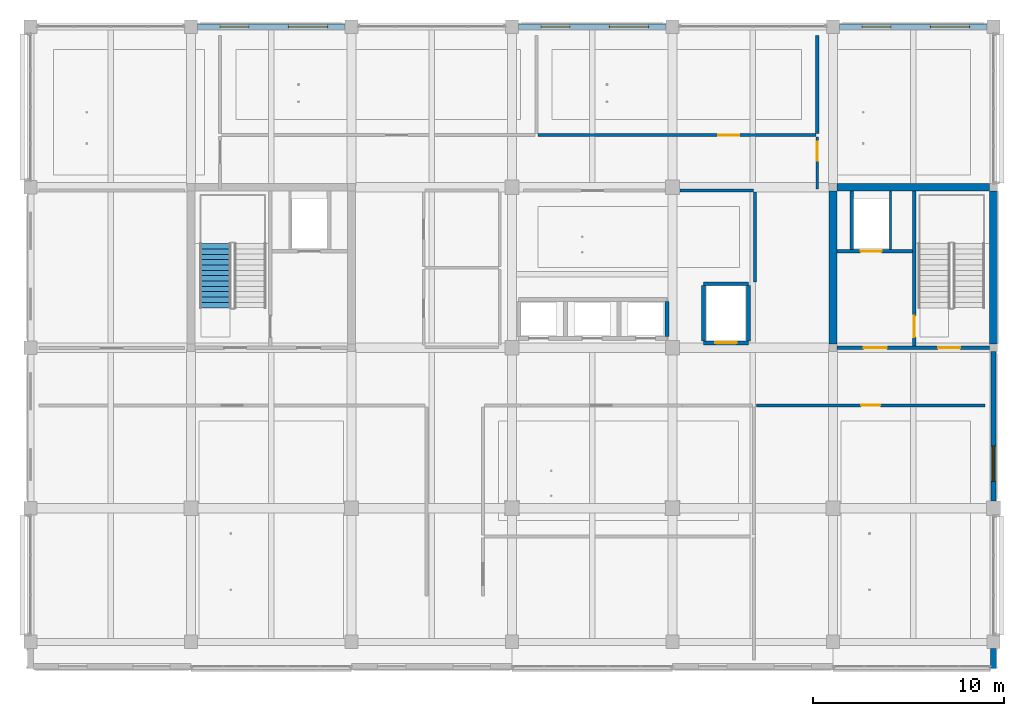
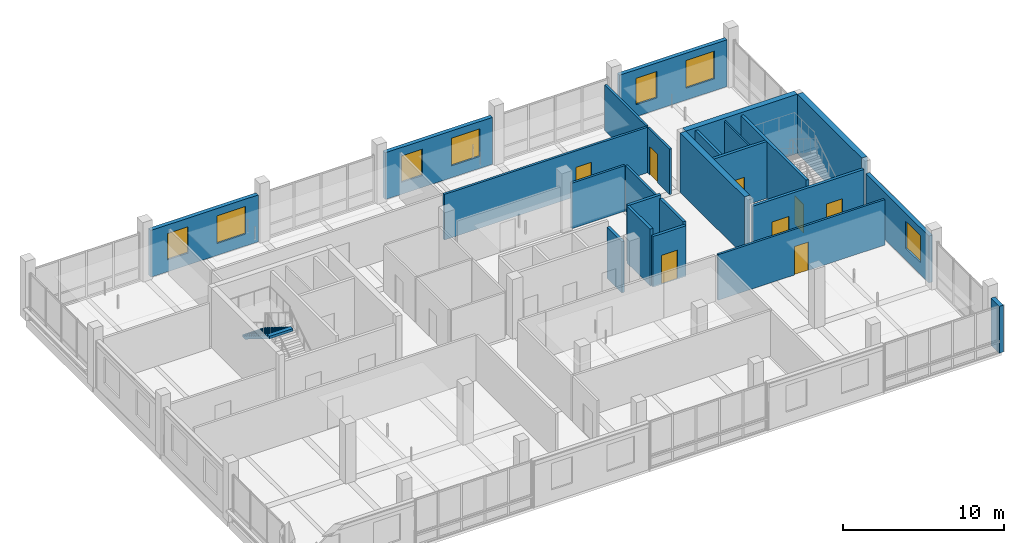
# One storey, part 13 of 35: 24 walls, 8 doors, 7 windows, 1 stair flight, 15 openings, 1 element without a shape of its own.
"""IFC4 building model written with IfcOpenShell, lengths in metres."""

from ifc_helpers import new_model, si_unit, direction, frame, frame_2d, origin, place, context, subcontext, project, spatial, polyline, rectangle, outline, extrude, material, layer, layer_set, type_object, element, fill, aggregate, save


model = new_model("IFC4")

# Units and contexts
model_context = context("Model", 3, precision=1e-05, world=origin(), true_north=direction((0.0, 1.0)))
body_context = subcontext(model_context, "Body", "Model", "MODEL_VIEW")
ifc_project = project(units=[si_unit("LENGTHUNIT", "METRE"), si_unit("AREAUNIT", "SQUARE_METRE"), si_unit("VOLUMEUNIT", "CUBIC_METRE"), si_unit("PLANEANGLEUNIT", "RADIAN"), si_unit("MASSUNIT", "GRAM", prefix="KILO")], contexts=[model_context])

# Site, building, storey
site_placement = place(None, origin())
site = spatial("IfcSite", under=ifc_project, at=site_placement, CompositionType="ELEMENT")
building_placement = place(site_placement, origin())
building = spatial("IfcBuilding", under=site, at=building_placement, Name="Telukmera Botanical Conservatory", CompositionType="ELEMENT")
storey_placement = place(building_placement, frame((0.0, 0.0, 46.5)))
storey = spatial("IfcBuildingStorey", under=building, at=storey_placement, Name="L10", CompositionType="ELEMENT", Elevation=46.5)

# Wall, openings, windows
ifc_material_1 = material(Name="Precast concrete C40/50", Category="concrete")
ifc_layer_1 = layer(ifc_material_1, 0.280029296875)
ifc_layer_set_1 = layer_set([ifc_layer_1], Name="Precast concrete C40/50")
wall_type_1 = type_object("IfcWallType", Name="Exterior Laboratory Modular Precast Wall 280", PredefinedType="ELEMENTEDWALL", material=ifc_layer_set_1)
wall_1_placement = place(storey_placement, frame((59.152099609375, 42.800048828125, 0.0), z_axis=(0.0, 0.0, 1.0), x_axis=(1.0, 0.0, 0.0)))
wall_1 = element("IfcWall", 1, at=wall_1_placement, inside=storey, type_object=wall_type_1, Name="Exterior Precast Wall EW06 V4:L10:N2", PredefinedType="ELEMENTEDWALL", context=body_context, shape_type="SweptSolid", body=[
    extrude(rectangle(XDim=7.69580078125, YDim=0.280029296875, at=frame_2d((3.847900390625, 0.0))), origin(), (0.0, 0.0, 1.0), 3.550048828125),
])
opening_1_placement = place(wall_1_placement, frame((1.174072265625, 0.0, 0.89990234375)))
opening_1 = element("IfcOpeningElement", 2, at=opening_1_placement, cuts=wall_1, Name="Opening W06", PredefinedType="OPENING", context=body_context, shape_type="SweptSolid", body=[
    extrude(rectangle(XDim=1.5, YDim=2.0, at=frame_2d((0.75, 1.0))), frame((0.0, 0.14990234375, 0.0), z_axis=(0.0, -1.0, 0.0), x_axis=(1.0, 0.0, 0.0)), (0.0, 0.0, 1.0), 0.300048828125),
])
opening_2_placement = place(wall_1_placement, frame((4.7470703125, 0.0, 0.89990234375)))
opening_2 = element("IfcOpeningElement", 3, at=opening_2_placement, cuts=wall_1, Name="Opening W14", PredefinedType="OPENING", context=body_context, shape_type="SweptSolid", body=[
    extrude(rectangle(XDim=2.050048828125, YDim=2.10009765625, at=frame_2d((1.02490234375, 1.050048828125))), frame((0.0, 0.14990234375, 0.0), z_axis=(0.0, -1.0, 0.0), x_axis=(1.0, 0.0, 0.0)), (0.0, 0.0, 1.0), 0.300048828125),
])
ifc_material_2 = material(Name="Thermally broken anodised aluminium frame with low-E double glazing", Category="aluminium")
window_type_1 = type_object("IfcWindowType", Name="Double Vertical Laboratory Viewing Window 1500x2000", PartitioningType="DOUBLE_PANEL_VERTICAL", PredefinedType="WINDOW", material=ifc_material_2)
window_1_placement = place(opening_1_placement, origin())
window_1 = element("IfcWindow", 4, at=window_1_placement, inside=storey, type_object=window_type_1, Name="Facade Window W06 V4:L10:N2 1", OverallHeight=2.0, OverallWidth=1.5, PartitioningType="DOUBLE_PANEL_VERTICAL", PredefinedType="WINDOW", context=body_context, shape_type="SweptSolid", body=[
    extrude(rectangle(XDim=1.5, YDim=2.0, at=frame_2d((0.75, 1.0))), frame((0.0, 0.030029296875, 0.0), z_axis=(0.0, -1.0, 0.0), x_axis=(1.0, 0.0, 0.0)), (0.0, 0.0, 1.0), 0.06005859375),
])
fill(opening_1, window_1)
window_type_2 = type_object("IfcWindowType", Name="Triple Vertical Microscopy Lab Window 2050x2100", PartitioningType="TRIPLE_PANEL_VERTICAL", PredefinedType="WINDOW", material=ifc_material_2)
window_2_placement = place(opening_2_placement, origin())
window_2 = element("IfcWindow", 5, at=window_2_placement, inside=storey, type_object=window_type_2, Name="Facade Window W14 V4:L10:N2 2", OverallHeight=2.10009765625, OverallWidth=2.050048828125, PartitioningType="TRIPLE_PANEL_VERTICAL", PredefinedType="WINDOW", context=body_context, shape_type="SweptSolid", body=[
    extrude(rectangle(XDim=2.050048828125, YDim=2.10009765625, at=frame_2d((1.02490234375, 1.050048828125))), frame((0.0, 0.030029296875, 0.0), z_axis=(0.0, -1.0, 0.0), x_axis=(1.0, 0.0, 0.0)), (0.0, 0.0, 1.0), 0.06005859375),
])
fill(opening_2, window_2)

wall_2_placement = place(storey_placement, frame((75.951904296875, 42.800048828125, 0.0), z_axis=(0.0, 0.0, 1.0), x_axis=(1.0, 0.0, 0.0)))
wall_2 = element("IfcWall", 6, at=wall_2_placement, inside=storey, type_object=wall_type_1, Name="Exterior Precast Wall EW06 V4:L10:N4", PredefinedType="ELEMENTEDWALL", context=body_context, shape_type="SweptSolid", body=[
    extrude(rectangle(XDim=7.696044921875, YDim=0.280029296875, at=frame_2d((3.84814453125, 0.0))), origin(), (0.0, 0.0, 1.0), 3.550048828125),
])
opening_3_placement = place(wall_2_placement, frame((1.174072265625, 0.0, 0.89990234375)))
opening_3 = element("IfcOpeningElement", 7, at=opening_3_placement, cuts=wall_2, Name="Opening W06", PredefinedType="OPENING", context=body_context, shape_type="SweptSolid", body=[
    extrude(rectangle(XDim=1.5, YDim=2.0, at=frame_2d((0.75, 1.0))), frame((0.0, 0.14990234375, 0.0), z_axis=(0.0, -1.0, 0.0), x_axis=(1.0, 0.0, 0.0)), (0.0, 0.0, 1.0), 0.300048828125),
])
opening_4_placement = place(wall_2_placement, frame((4.7470703125, 0.0, 0.89990234375)))
opening_4 = element("IfcOpeningElement", 8, at=opening_4_placement, cuts=wall_2, Name="Opening W14", PredefinedType="OPENING", context=body_context, shape_type="SweptSolid", body=[
    extrude(rectangle(XDim=2.050048828125, YDim=2.10009765625, at=frame_2d((1.02490234375, 1.050048828125))), frame((0.0, 0.14990234375, 0.0), z_axis=(0.0, -1.0, 0.0), x_axis=(1.0, 0.0, 0.0)), (0.0, 0.0, 1.0), 0.300048828125),
])
window_3_placement = place(opening_3_placement, origin())
window_3 = element("IfcWindow", 9, at=window_3_placement, inside=storey, type_object=window_type_1, Name="Facade Window W06 V4:L10:N4 1", OverallHeight=2.0, OverallWidth=1.5, PartitioningType="DOUBLE_PANEL_VERTICAL", PredefinedType="WINDOW", context=body_context, shape_type="SweptSolid", body=[
    extrude(rectangle(XDim=1.5, YDim=2.0, at=frame_2d((0.75, 1.0))), frame((0.0, 0.030029296875, 0.0), z_axis=(0.0, -1.0, 0.0), x_axis=(1.0, 0.0, 0.0)), (0.0, 0.0, 1.0), 0.06005859375),
])
fill(opening_3, window_3)
window_4_placement = place(opening_4_placement, origin())
window_4 = element("IfcWindow", 10, at=window_4_placement, inside=storey, type_object=window_type_2, Name="Facade Window W14 V4:L10:N4 2", OverallHeight=2.10009765625, OverallWidth=2.050048828125, PartitioningType="TRIPLE_PANEL_VERTICAL", PredefinedType="WINDOW", context=body_context, shape_type="SweptSolid", body=[
    extrude(rectangle(XDim=2.050048828125, YDim=2.10009765625, at=frame_2d((1.02490234375, 1.050048828125))), frame((0.0, 0.030029296875, 0.0), z_axis=(0.0, -1.0, 0.0), x_axis=(1.0, 0.0, 0.0)), (0.0, 0.0, 1.0), 0.06005859375),
])
fill(opening_4, window_4)

wall_3_placement = place(storey_placement, frame((92.751953125, 42.800048828125, 0.0), z_axis=(0.0, 0.0, 1.0), x_axis=(1.0, 0.0, 0.0)))
wall_3 = element("IfcWall", 11, at=wall_3_placement, inside=storey, type_object=wall_type_1, Name="Exterior Precast Wall EW06 V4:L10:N6", PredefinedType="ELEMENTEDWALL", context=body_context, shape_type="SweptSolid", body=[
    extrude(rectangle(XDim=7.696044921875, YDim=0.280029296875, at=frame_2d((3.84814453125, 0.0))), origin(), (0.0, 0.0, 1.0), 3.550048828125),
])
opening_5_placement = place(wall_3_placement, frame((1.174072265625, 0.0, 0.89990234375)))
opening_5 = element("IfcOpeningElement", 12, at=opening_5_placement, cuts=wall_3, Name="Opening W06", PredefinedType="OPENING", context=body_context, shape_type="SweptSolid", body=[
    extrude(rectangle(XDim=1.5, YDim=2.0, at=frame_2d((0.75, 1.0))), frame((0.0, 0.14990234375, 0.0), z_axis=(0.0, -1.0, 0.0), x_axis=(1.0, 0.0, 0.0)), (0.0, 0.0, 1.0), 0.300048828125),
])
opening_6_placement = place(wall_3_placement, frame((4.7470703125, 0.0, 0.89990234375)))
opening_6 = element("IfcOpeningElement", 13, at=opening_6_placement, cuts=wall_3, Name="Opening W14", PredefinedType="OPENING", context=body_context, shape_type="SweptSolid", body=[
    extrude(rectangle(XDim=2.050048828125, YDim=2.10009765625, at=frame_2d((1.02490234375, 1.050048828125))), frame((0.0, 0.14990234375, 0.0), z_axis=(0.0, -1.0, 0.0), x_axis=(1.0, 0.0, 0.0)), (0.0, 0.0, 1.0), 0.300048828125),
])
window_5_placement = place(opening_5_placement, origin())
window_5 = element("IfcWindow", 14, at=window_5_placement, inside=storey, type_object=window_type_1, Name="Facade Window W06 V4:L10:N6 1", OverallHeight=2.0, OverallWidth=1.5, PartitioningType="DOUBLE_PANEL_VERTICAL", PredefinedType="WINDOW", context=body_context, shape_type="SweptSolid", body=[
    extrude(rectangle(XDim=1.5, YDim=2.0, at=frame_2d((0.75, 1.0))), frame((0.0, 0.030029296875, 0.0), z_axis=(0.0, -1.0, 0.0), x_axis=(1.0, 0.0, 0.0)), (0.0, 0.0, 1.0), 0.06005859375),
])
fill(opening_5, window_5)
window_6_placement = place(opening_6_placement, origin())
window_6 = element("IfcWindow", 15, at=window_6_placement, inside=storey, type_object=window_type_2, Name="Facade Window W14 V4:L10:N6 2", OverallHeight=2.10009765625, OverallWidth=2.050048828125, PartitioningType="TRIPLE_PANEL_VERTICAL", PredefinedType="WINDOW", context=body_context, shape_type="SweptSolid", body=[
    extrude(rectangle(XDim=2.050048828125, YDim=2.10009765625, at=frame_2d((1.02490234375, 1.050048828125))), frame((0.0, 0.030029296875, 0.0), z_axis=(0.0, -1.0, 0.0), x_axis=(1.0, 0.0, 0.0)), (0.0, 0.0, 1.0), 0.06005859375),
])
fill(opening_6, window_6)

# Wall, opening, window
wall_4_placement = place(storey_placement, frame((100.800048828125, 17.97705078125, 0.0), z_axis=(0.0, 0.0, 1.0), x_axis=(0.0, 1.0, 0.0)))
wall_4 = element("IfcWall", 16, at=wall_4_placement, inside=storey, type_object=wall_type_1, Name="Exterior Precast Wall EW06 V4:L10:E2", PredefinedType="ELEMENTEDWALL", context=body_context, shape_type="SweptSolid", body=[
    extrude(rectangle(XDim=7.821044921875, YDim=0.280029296875, at=frame_2d((3.91064453125, 0.0))), origin(), (0.0, 0.0, 1.0), 3.550048828125),
])
opening_7_placement = place(wall_4_placement, frame((1.0302734375, 0.0, 0.89990234375)))
opening_7 = element("IfcOpeningElement", 17, at=opening_7_placement, cuts=wall_4, Name="Opening W12", PredefinedType="OPENING", context=body_context, shape_type="SweptSolid", body=[
    extrude(rectangle(XDim=1.85009765625, YDim=2.050048828125, at=frame_2d((0.925048828125, 1.02490234375))), frame((0.0, 0.14990234375, 0.0), z_axis=(0.0, -1.0, 0.0), x_axis=(1.0, 0.0, 0.0)), (0.0, 0.0, 1.0), 0.300048828125),
])
window_type_3 = type_object("IfcWindowType", Name="Double Horizontal Seminar Suite Window 1850x2050", PartitioningType="DOUBLE_PANEL_HORIZONTAL", PredefinedType="WINDOW", material=ifc_material_2)
window_7_placement = place(opening_7_placement, origin())
window_7 = element("IfcWindow", 18, at=window_7_placement, inside=storey, type_object=window_type_3, Name="Facade Window W12 V4:L10:E2 1", OverallHeight=2.050048828125, OverallWidth=1.85009765625, PartitioningType="DOUBLE_PANEL_HORIZONTAL", PredefinedType="WINDOW", context=body_context, shape_type="SweptSolid", body=[
    extrude(rectangle(XDim=1.85009765625, YDim=2.050048828125, at=frame_2d((0.925048828125, 1.02490234375))), frame((0.0, 0.030029296875, 0.0), z_axis=(0.0, -1.0, 0.0), x_axis=(1.0, 0.0, 0.0)), (0.0, 0.0, 1.0), 0.06005859375),
])
fill(opening_7, window_7)

# Wall
ifc_material_3 = material(Name="Terracotta-faced precast concrete C40/50", Category="masonry")
ifc_layer_2 = layer(ifc_material_3, 0.300048828125)
ifc_layer_set_2 = layer_set([ifc_layer_2], Name="Terracotta-faced precast concrete C40/50")
wall_type_2 = type_object("IfcWallType", Name="Exterior Polychrome Terracotta Precast Wall 300", PredefinedType="SOLIDWALL", material=ifc_layer_set_2)
wall_5_placement = place(storey_placement, frame((100.800048828125, 9.199951171875, 0.0), z_axis=(0.0, 0.0, 1.0), x_axis=(0.0, 1.0, 0.0)))
element("IfcWall", 19, at=wall_5_placement, inside=storey, type_object=wall_type_2, Name="Exterior Precast Wall EW02 V4:L10:SEC", PredefinedType="SOLIDWALL", context=body_context, shape_type="SweptSolid", body=[
    extrude(rectangle(XDim=1.048095703125, YDim=0.300048828125, at=frame_2d((0.52392578125, 0.0))), origin(), (0.0, 0.0, 1.0), 3.550048828125),
])

# Wall, openings, doors
ifc_material_4 = material(Name="Concrete C40/50", Category="concrete")
ifc_layer_3 = layer(ifc_material_4, 0.199951171875)
ifc_layer_set_3 = layer_set([ifc_layer_3], Name="Concrete C40/50")
wall_type_3 = type_object("IfcWallType", Name="WT-CORE-200", PredefinedType="SOLIDWALL", material=ifc_layer_set_3)
wall_6_placement = place(storey_placement, frame((92.60009765625, 26.0, 0.0), z_axis=(0.0, 0.0, 1.0), x_axis=(1.0, 0.0, 0.0)))
wall_6 = element("IfcWall", 20, at=wall_6_placement, inside=storey, type_object=wall_type_3, Name="L10 Core C2 South Fire Wall", PredefinedType="SOLIDWALL", context=body_context, shape_type="SweptSolid", body=[
    extrude(rectangle(XDim=8.0, YDim=0.199951171875, at=frame_2d((4.0, 0.0))), origin(), (0.0, 0.0, 1.0), 3.830078125),
])
opening_8_placement = place(wall_6_placement, frame((1.39990234375, 0.0, 0.0)))
opening_8 = element("IfcOpeningElement", 21, at=opening_8_placement, cuts=wall_6, Name="Opening FD60C", PredefinedType="OPENING", context=body_context, shape_type="SweptSolid", body=[
    extrude(rectangle(XDim=1.219970703125, YDim=2.14990234375, at=frame_2d((0.60986328125, 1.074951171875))), frame((0.0, 0.10986328125, 0.0), z_axis=(0.0, -1.0, 0.0), x_axis=(1.0, 0.0, 0.0)), (0.0, 0.0, 1.0), 0.219970703125),
])
opening_9_placement = place(wall_6_placement, frame((5.300048828125, 0.0, 0.0)))
opening_9 = element("IfcOpeningElement", 22, at=opening_9_placement, cuts=wall_6, Name="Opening FD60A", PredefinedType="OPENING", context=body_context, shape_type="SweptSolid", body=[
    extrude(rectangle(XDim=1.14990234375, YDim=2.14990234375, at=frame_2d((0.574951171875, 1.074951171875))), frame((0.0, 0.10986328125, 0.0), z_axis=(0.0, -1.0, 0.0), x_axis=(1.0, 0.0, 0.0)), (0.0, 0.0, 1.0), 0.219970703125),
])
ifc_material_5 = material(Name="Hardwood fire door", Category="wood")
door_type_1 = type_object("IfcDoorType", Name="DT-FD60-01", OperationType="NOTDEFINED", PredefinedType="DOOR", material=ifc_material_5)
door_1_placement = place(opening_9_placement, origin())
door_1 = element("IfcDoor", 23, at=door_1_placement, inside=storey, type_object=door_type_1, Name="L10 Stair ST2 Escape Door", OperationType="SINGLE_SWING_RIGHT", OverallHeight=2.14990234375, OverallWidth=1.14990234375, PredefinedType="DOOR", context=body_context, shape_type="SweptSolid", body=[
    extrude(rectangle(XDim=1.14990234375, YDim=2.14990234375, at=frame_2d((0.574951171875, 1.074951171875))), frame((0.0, 0.02490234375, 0.0), z_axis=(0.0, -1.0, 0.0), x_axis=(1.0, 0.0, 0.0)), (0.0, 0.0, 1.0), 0.050048828125),
])
fill(opening_9, door_1)
door_type_2 = type_object("IfcDoorType", Name="DT-FD60-03", OperationType="NOTDEFINED", PredefinedType="DOOR", material=ifc_material_5)
door_2_placement = place(opening_8_placement, origin())
door_2 = element("IfcDoor", 24, at=door_2_placement, inside=storey, type_object=door_type_2, Name="L10 Firefighting Lobby C2 Door", OperationType="SINGLE_SWING_LEFT", OverallHeight=2.14990234375, OverallWidth=1.219970703125, PredefinedType="DOOR", context=body_context, shape_type="SweptSolid", body=[
    extrude(rectangle(XDim=1.219970703125, YDim=2.14990234375, at=frame_2d((0.60986328125, 1.074951171875))), frame((0.0, 0.02490234375, 0.0), z_axis=(0.0, -1.0, 0.0), x_axis=(1.0, 0.0, 0.0)), (0.0, 0.0, 1.0), 0.050048828125),
])
fill(opening_8, door_2)

# Wall, opening, door
wall_7_placement = place(storey_placement, frame((96.64990234375, 26.10009765625, 0.0), z_axis=(0.0, 0.0, 1.0), x_axis=(0.0, 1.0, 0.0)))
wall_7 = element("IfcWall", 25, at=wall_7_placement, inside=storey, type_object=wall_type_3, Name="L10 Core C2 Stair-Lobby Wall", PredefinedType="SOLIDWALL", context=body_context, shape_type="SweptSolid", body=[
    extrude(rectangle(XDim=8.099853515625, YDim=0.199951171875, at=frame_2d((4.0498046875, 0.0))), origin(), (0.0, 0.0, 1.0), 4.300048828125),
])
opening_10_placement = place(wall_7_placement, frame((0.449951171875, 0.0, 0.0)))
opening_10 = element("IfcOpeningElement", 26, at=opening_10_placement, cuts=wall_7, Name="Opening FD60B", PredefinedType="OPENING", context=body_context, shape_type="SweptSolid", body=[
    extrude(rectangle(XDim=1.1201171875, YDim=2.14990234375, at=frame_2d((0.56005859375, 1.074951171875))), frame((0.0, 0.10986328125, 0.0), z_axis=(0.0, -1.0, 0.0), x_axis=(1.0, 0.0, 0.0)), (0.0, 0.0, 1.0), 0.219970703125),
])
door_type_3 = type_object("IfcDoorType", Name="DT-FD60-02", OperationType="NOTDEFINED", PredefinedType="DOOR", material=ifc_material_5)
door_3_placement = place(opening_10_placement, frame((1.1201171875, 0.0, 0.0), z_axis=(0.0, 0.0, 1.0), x_axis=(-1.0, 0.0, 0.0)))
door_3 = element("IfcDoor", 27, at=door_3_placement, inside=storey, type_object=door_type_3, Name="L10 Firefighting Lobby C2 to ST2 Door", OperationType="SINGLE_SWING_LEFT", OverallHeight=2.14990234375, OverallWidth=1.1201171875, PredefinedType="DOOR", context=body_context, shape_type="SweptSolid", body=[
    extrude(rectangle(XDim=1.1201171875, YDim=2.14990234375, at=frame_2d((0.56005859375, 1.074951171875))), frame((0.0, 0.02490234375, 0.0), z_axis=(0.0, -1.0, 0.0), x_axis=(1.0, 0.0, 0.0)), (0.0, 0.0, 1.0), 0.050048828125),
])
fill(opening_10, door_3)

wall_8_placement = place(storey_placement, frame((92.60009765625, 31.050048828125, 0.0), z_axis=(0.0, 0.0, 1.0), x_axis=(1.0, 0.0, 0.0)))
wall_8 = element("IfcWall", 28, at=wall_8_placement, inside=storey, type_object=wall_type_3, Name="L10 Fire Lift FL2 Shaft Front Wall", PredefinedType="SOLIDWALL", context=body_context, shape_type="SweptSolid", body=[
    extrude(rectangle(XDim=3.949951171875, YDim=0.199951171875, at=frame_2d((1.97509765625, 0.0))), origin(), (0.0, 0.0, 1.0), 4.300048828125),
])
opening_11_placement = place(wall_8_placement, frame((1.25, 0.0, 0.0)))
opening_11 = element("IfcOpeningElement", 29, at=opening_11_placement, cuts=wall_8, Name="Opening LD01", PredefinedType="OPENING", context=body_context, shape_type="SweptSolid", body=[
    extrude(rectangle(XDim=1.10009765625, YDim=2.14990234375, at=frame_2d((0.550048828125, 1.074951171875))), frame((0.0, 0.10986328125, 0.0), z_axis=(0.0, -1.0, 0.0), x_axis=(1.0, 0.0, 0.0)), (0.0, 0.0, 1.0), 0.219970703125),
])
ifc_material_6 = material(Name="Stainless steel 316", Category="steel")
door_type_4 = type_object("IfcDoorType", Name="DT-LD01", OperationType="SLIDING_TO_LEFT", PredefinedType="DOOR", material=ifc_material_6)
door_4_placement = place(opening_11_placement, frame((1.10009765625, 0.0, 0.0), z_axis=(0.0, 0.0, 1.0), x_axis=(-1.0, 0.0, 0.0)))
door_4 = element("IfcDoor", 30, at=door_4_placement, inside=storey, type_object=door_type_4, Name="L10 Lift Landing Door FL2", OperationType="SLIDING_TO_LEFT", OverallHeight=2.14990234375, OverallWidth=1.10009765625, PredefinedType="DOOR", context=body_context, shape_type="SweptSolid", body=[
    extrude(rectangle(XDim=1.10009765625, YDim=2.14990234375, at=frame_2d((0.550048828125, 1.074951171875))), frame((0.0, 0.02490234375, 0.0), z_axis=(0.0, -1.0, 0.0), x_axis=(1.0, 0.0, 0.0)), (0.0, 0.0, 1.0), 0.050048828125),
])
fill(opening_11, door_4)

# Walls
wall_9_placement = place(storey_placement, frame((93.3798828125, 31.14990234375, 0.0), z_axis=(0.0, 0.0, 1.0), x_axis=(0.0, 1.0, 0.0)))
element("IfcWall", 31, at=wall_9_placement, inside=storey, type_object=wall_type_3, Name="L10 Fire Lift FL2 Shaft West Wall", PredefinedType="SOLIDWALL", context=body_context, shape_type="SweptSolid", body=[
    extrude(rectangle(XDim=3.050048828125, YDim=0.199951171875, at=frame_2d((1.52490234375, 0.0))), origin(), (0.0, 0.0, 1.0), 4.300048828125),
])
wall_10_placement = place(storey_placement, frame((83.719970703125, 26.580078125, 0.0), z_axis=(0.0, 0.0, 1.0), x_axis=(0.0, 1.0, 0.0)))
element("IfcWall", 32, at=wall_10_placement, inside=storey, type_object=wall_type_3, Name="L10 Passenger Lift Shaft Wall 4", PredefinedType="SOLIDWALL", context=body_context, shape_type="SweptSolid", body=[
    extrude(rectangle(XDim=1.83984375, YDim=0.199951171875, at=frame_2d((0.919921875, 0.0))), origin(), (0.0, 0.0, 1.0), 3.8798828125),
])

# Wall, opening, door
wall_11_placement = place(storey_placement, frame((85.6201171875, 26.25, 0.0), z_axis=(0.0, 0.0, 1.0), x_axis=(1.0, 0.0, 0.0)))
wall_11 = element("IfcWall", 33, at=wall_11_placement, inside=storey, type_object=wall_type_3, Name="L10 Goods Lift GL1 Front Wall", PredefinedType="SOLIDWALL", context=body_context, shape_type="SweptSolid", body=[
    extrude(rectangle(XDim=2.35986328125, YDim=0.199951171875, at=frame_2d((1.179931640625, 0.0))), origin(), (0.0, 0.0, 1.0), 3.830078125),
])
opening_12_placement = place(wall_11_placement, frame((0.60498046875, 0.0, 0.0)))
opening_12 = element("IfcOpeningElement", 34, at=opening_12_placement, cuts=wall_11, Name="Opening LD02", PredefinedType="OPENING", context=body_context, shape_type="SweptSolid", body=[
    extrude(rectangle(XDim=1.14990234375, YDim=2.199951171875, at=frame_2d((0.574951171875, 1.10009765625))), frame((0.0, 0.10986328125, 0.0), z_axis=(0.0, -1.0, 0.0), x_axis=(1.0, 0.0, 0.0)), (0.0, 0.0, 1.0), 0.219970703125),
])
door_type_5 = type_object("IfcDoorType", Name="DT-LD02", OperationType="SLIDING_TO_LEFT", PredefinedType="DOOR", material=ifc_material_6)
door_5_placement = place(opening_12_placement, frame((1.14990234375, 0.0, 0.0), z_axis=(0.0, 0.0, 1.0), x_axis=(-1.0, 0.0, 0.0)))
door_5 = element("IfcDoor", 35, at=door_5_placement, inside=storey, type_object=door_type_5, Name="L10 Lift Landing Door GL1", OperationType="SLIDING_TO_LEFT", OverallHeight=2.199951171875, OverallWidth=1.14990234375, PredefinedType="DOOR", context=body_context, shape_type="SweptSolid", body=[
    extrude(rectangle(XDim=1.14990234375, YDim=2.199951171875, at=frame_2d((0.574951171875, 1.10009765625))), frame((0.0, 0.02490234375, 0.0), z_axis=(0.0, -1.0, 0.0), x_axis=(1.0, 0.0, 0.0)), (0.0, 0.0, 1.0), 0.050048828125),
])
fill(opening_12, door_5)

# Walls
wall_12_placement = place(storey_placement, frame((85.6201171875, 29.35009765625, 0.0), z_axis=(0.0, 0.0, 1.0), x_axis=(1.0, 0.0, 0.0)))
element("IfcWall", 36, at=wall_12_placement, inside=storey, type_object=wall_type_3, Name="L10 Goods Lift GL1 Rear Wall", PredefinedType="SOLIDWALL", context=body_context, shape_type="SweptSolid", body=[
    extrude(rectangle(XDim=2.35986328125, YDim=0.199951171875, at=frame_2d((1.179931640625, 0.0))), origin(), (0.0, 0.0, 1.0), 4.300048828125),
])
wall_13_placement = place(storey_placement, frame((85.6201171875, 26.35009765625, 0.0), z_axis=(0.0, 0.0, 1.0), x_axis=(0.0, 1.0, 0.0)))
element("IfcWall", 37, at=wall_13_placement, inside=storey, type_object=wall_type_3, Name="L10 Goods Lift GL1 Side Wall 1", PredefinedType="SOLIDWALL", context=body_context, shape_type="SweptSolid", body=[
    extrude(rectangle(XDim=2.89990234375, YDim=0.199951171875, at=frame_2d((1.449951171875, 0.0))), origin(), (0.0, 0.0, 1.0), 4.300048828125),
])
wall_14_placement = place(storey_placement, frame((87.97998046875, 26.35009765625, 0.0), z_axis=(0.0, 0.0, 1.0), x_axis=(0.0, 1.0, 0.0)))
element("IfcWall", 38, at=wall_14_placement, inside=storey, type_object=wall_type_3, Name="L10 Goods Lift GL1 Side Wall 2", PredefinedType="SOLIDWALL", context=body_context, shape_type="SweptSolid", body=[
    extrude(rectangle(XDim=2.89990234375, YDim=0.199951171875, at=frame_2d((1.449951171875, 0.0))), origin(), (0.0, 0.0, 1.0), 4.030029296875),
])
ifc_material_7 = material(Name="Gypsum acoustic stud partition")
ifc_layer_4 = layer(ifc_material_7, 0.159912109375)
ifc_layer_set_4 = layer_set([ifc_layer_4], Name="Gypsum acoustic stud partition")
wall_type_4 = type_object("IfcWallType", Name="WT-LAB-160", PredefinedType="PARTITIONING", material=ifc_layer_set_4)
wall_15_placement = place(storey_placement, frame((88.324951171875, 29.449951171875, 0.0), z_axis=(0.0, 0.0, 1.0), x_axis=(0.0, 1.0, 0.0)))
element("IfcWall", 39, at=wall_15_placement, inside=storey, type_object=wall_type_4, Name="L10 Interior Partition 06", PredefinedType="PARTITIONING", context=body_context, shape_type="SweptSolid", body=[
    extrude(rectangle(XDim=4.699951171875, YDim=0.159912109375, at=frame_2d((2.35009765625, 0.0))), origin(), (0.0, 0.0, 1.0), 3.449951171875),
])
wall_16_placement = place(storey_placement, frame((84.405029296875, 34.22509765625, 0.0), z_axis=(0.0, 0.0, 1.0), x_axis=(1.0, 0.0, 0.0)))
element("IfcWall", 40, at=wall_16_placement, inside=storey, type_object=wall_type_4, Name="L10 Interior Partition 08", PredefinedType="PARTITIONING", context=body_context, shape_type="SweptSolid", body=[
    extrude(rectangle(XDim=3.830078125, YDim=0.159912109375, at=frame_2d((1.9150390625, 0.0))), origin(), (0.0, 0.0, 1.0), 3.449951171875),
])

# Wall, opening, door
wall_17_placement = place(storey_placement, frame((76.949951171875, 37.125, 0.0), z_axis=(0.0, 0.0, 1.0), x_axis=(1.0, 0.0, 0.0)))
wall_17 = element("IfcWall", 41, at=wall_17_placement, inside=storey, type_object=wall_type_4, Name="L10 Interior Partition 24", PredefinedType="PARTITIONING", context=body_context, shape_type="SweptSolid", body=[
    extrude(rectangle(XDim=14.550048828125, YDim=0.159912109375, at=frame_2d((7.27490234375, 0.0))), origin(), (0.0, 0.0, 1.0), 3.449951171875),
])
opening_13_placement = place(wall_17_placement, frame((9.435546875, 0.0, 0.0)))
opening_13 = element("IfcOpeningElement", 42, at=opening_13_placement, cuts=wall_17, Name="Opening ID11", PredefinedType="OPENING", context=body_context, shape_type="SweptSolid", body=[
    extrude(rectangle(XDim=1.10009765625, YDim=2.199951171875, at=frame_2d((0.550048828125, 1.10009765625))), frame((0.0, 0.08984375, 0.0), z_axis=(0.0, -1.0, 0.0), x_axis=(1.0, 0.0, 0.0)), (0.0, 0.0, 1.0), 0.179931640625),
])
ifc_material_8 = material(Name="Flush cleanroom laboratory door")
door_type_6 = type_object("IfcDoorType", Name="DT-TC-110", OperationType="NOTDEFINED", PredefinedType="DOOR", material=ifc_material_8)
door_6_placement = place(opening_13_placement, origin())
door_6 = element("IfcDoor", 43, at=door_6_placement, inside=storey, type_object=door_type_6, Name="L10 Somatic Embryogenesis Laboratory Door", OperationType="SINGLE_SWING_LEFT", OverallHeight=2.199951171875, OverallWidth=1.10009765625, PredefinedType="DOOR", context=body_context, shape_type="SweptSolid", body=[
    extrude(rectangle(XDim=1.10009765625, YDim=2.199951171875, at=frame_2d((0.550048828125, 1.10009765625))), frame((0.0, 0.02490234375, 0.0), z_axis=(0.0, -1.0, 0.0), x_axis=(1.0, 0.0, 0.0)), (0.0, 0.0, 1.0), 0.050048828125),
])
fill(opening_13, door_6)

# Walls
wall_18_placement = place(storey_placement, frame((91.574951171875, 37.215087890625, 0.0), z_axis=(0.0, 0.0, 1.0), x_axis=(0.0, 1.0, 0.0)))
element("IfcWall", 44, at=wall_18_placement, inside=storey, type_object=wall_type_4, Name="L10 Interior Partition 28", PredefinedType="PARTITIONING", context=body_context, shape_type="SweptSolid", body=[
    extrude(rectangle(XDim=5.135009765625, YDim=0.159912109375, at=frame_2d((2.5673828125, 0.0))), origin(), (0.0, 0.0, 1.0), 3.449951171875),
])
ifc_material_9 = material(Name="Gypsum shaftwall liner")
ifc_layer_5 = layer(ifc_material_9, 0.110107421875)
ifc_layer_set_5 = layer_set([ifc_layer_5], Name="Gypsum shaftwall liner")
wall_type_5 = type_object("IfcWallType", Name="WT-RISER-110", PredefinedType="PARTITIONING", material=ifc_layer_set_5)
wall_19_placement = place(storey_placement, frame((95.419921875, 31.14990234375, 0.0), z_axis=(0.0, 0.0, 1.0), x_axis=(0.0, 1.0, 0.0)))
element("IfcWall", 45, at=wall_19_placement, inside=storey, type_object=wall_type_5, Name="L10 Wet Riser C2 Shaft Wall", PredefinedType="PARTITIONING", context=body_context, shape_type="SweptSolid", body=[
    extrude(rectangle(XDim=3.050048828125, YDim=0.110107421875, at=frame_2d((1.52490234375, 0.0))), origin(), (0.0, 0.0, 1.0), 4.300048828125),
])

# Wall, opening, door
ifc_layer_6 = layer(ifc_material_7, 0.14990234375)
ifc_layer_set_6 = layer_set([ifc_layer_6], Name="Gypsum acoustic stud partition")
wall_type_6 = type_object("IfcWallType", Name="WT-STD-150", PredefinedType="PARTITIONING", material=ifc_layer_set_6)
wall_20_placement = place(storey_placement, frame((88.39990234375, 22.97509765625, 0.0), z_axis=(0.0, 0.0, 1.0), x_axis=(1.0, 0.0, 0.0)))
wall_20 = element("IfcWall", 46, at=wall_20_placement, inside=storey, type_object=wall_type_6, Name="L10 Interior Partition 15", PredefinedType="PARTITIONING", context=body_context, shape_type="SweptSolid", body=[
    extrude(rectangle(XDim=11.9501953125, YDim=0.14990234375, at=frame_2d((5.97509765625, 0.0))), origin(), (0.0, 0.0, 1.0), 3.449951171875),
])
opening_14_placement = place(wall_20_placement, frame((5.47509765625, 0.0, 0.0)))
opening_14 = element("IfcOpeningElement", 47, at=opening_14_placement, cuts=wall_20, Name="Opening ID14", PredefinedType="OPENING", context=body_context, shape_type="SweptSolid", body=[
    extrude(rectangle(XDim=1.0, YDim=2.14990234375, at=frame_2d((0.5, 1.074951171875))), frame((0.0, 0.0849609375, 0.0), z_axis=(0.0, -1.0, 0.0), x_axis=(1.0, 0.0, 0.0)), (0.0, 0.0, 1.0), 0.169921875),
])
ifc_material_10 = material(Name="Acoustic timber office door", Category="wood")
door_type_7 = type_object("IfcDoorType", Name="DT-WRT-100", OperationType="NOTDEFINED", PredefinedType="DOOR", material=ifc_material_10)
door_7_placement = place(opening_14_placement, frame((1.0, 0.0, 0.0), z_axis=(0.0, 0.0, 1.0), x_axis=(-1.0, 0.0, 0.0)))
door_7 = element("IfcDoor", 48, at=door_7_placement, inside=storey, type_object=door_type_7, Name="L10 Laboratory Write-Up Studio Door", OperationType="SINGLE_SWING_RIGHT", OverallHeight=2.14990234375, OverallWidth=1.0, PredefinedType="DOOR", context=body_context, shape_type="SweptSolid", body=[
    extrude(rectangle(XDim=1.0, YDim=2.14990234375, at=frame_2d((0.5, 1.074951171875))), frame((0.0, 0.02490234375, 0.0), z_axis=(0.0, -1.0, 0.0), x_axis=(1.0, 0.0, 0.0)), (0.0, 0.0, 1.0), 0.050048828125),
])
fill(opening_14, door_7)

wall_21_placement = place(storey_placement, frame((91.574951171875, 34.300048828125, 0.0), z_axis=(0.0, 0.0, 1.0), x_axis=(0.0, 1.0, 0.0)))
wall_21 = element("IfcWall", 49, at=wall_21_placement, inside=storey, type_object=wall_type_6, Name="L10 Interior Partition 25", PredefinedType="PARTITIONING", context=body_context, shape_type="SweptSolid", body=[
    extrude(rectangle(XDim=2.73486328125, YDim=0.14990234375, at=frame_2d((1.367431640625, 0.0))), origin(), (0.0, 0.0, 1.0), 3.449951171875),
])
opening_15_placement = place(wall_21_placement, frame((1.485107421875, 0.0, 0.0)))
opening_15 = element("IfcOpeningElement", 50, at=opening_15_placement, cuts=wall_21, Name="Opening ID14", PredefinedType="OPENING", context=body_context, shape_type="SweptSolid", body=[
    extrude(rectangle(XDim=1.0, YDim=2.14990234375, at=frame_2d((0.5, 1.074951171875))), frame((0.0, 0.0849609375, 0.0), z_axis=(0.0, -1.0, 0.0), x_axis=(1.0, 0.0, 0.0)), (0.0, 0.0, 1.0), 0.169921875),
])
door_8_placement = place(opening_15_placement, frame((1.0, 0.0, 0.0), z_axis=(0.0, 0.0, 1.0), x_axis=(-1.0, 0.0, 0.0)))
door_8 = element("IfcDoor", 51, at=door_8_placement, inside=storey, type_object=door_type_7, Name="L10 Germplasm Curation Studio Door", OperationType="SINGLE_SWING_RIGHT", OverallHeight=2.14990234375, OverallWidth=1.0, PredefinedType="DOOR", context=body_context, shape_type="SweptSolid", body=[
    extrude(rectangle(XDim=1.0, YDim=2.14990234375, at=frame_2d((0.5, 1.074951171875))), frame((0.0, 0.02490234375, 0.0), z_axis=(0.0, -1.0, 0.0), x_axis=(1.0, 0.0, 0.0)), (0.0, 0.0, 1.0), 0.050048828125),
])
fill(opening_15, door_8)

# Walls
ifc_material_11 = material(Name="Concrete C50/60", Category="concrete")
ifc_layer_7 = layer(ifc_material_11, 0.39990234375)
ifc_layer_set_7 = layer_set([ifc_layer_7], Name="Concrete C50/60")
wall_type_7 = type_object("IfcWallType", Name="Wall_CW1", PredefinedType="SHEAR", material=ifc_layer_set_7)
for number, where, z_axis, x_axis, name in (
    (52, (92.39990234375, 26.199951171875, 0.0), (0.0, 0.0, 1.0), (0.0, 1.0, 0.0), "Core C2 Shear Wall West L10"),
    (53, (100.800048828125, 26.199951171875, 0.0), (0.0, 0.0, 1.0), (0.0, 1.0, 0.0), "Core C2 Shear Wall East L10"),
    (54, (92.60009765625, 34.39990234375, 0.0), (0.0, 0.0, 1.0), (1.0, 0.0, 0.0), "Core C2 Shear Wall North L10"),
):
    element("IfcWall", number, at=place(storey_placement, frame(where, z_axis=z_axis, x_axis=x_axis)), inside=storey, type_object=wall_type_7, Name=name, PredefinedType="SHEAR", context=body_context, shape_type="SweptSolid", body=[
        extrude(rectangle(XDim=8.0, YDim=0.39990234375, at=frame_2d((4.0, 0.0))), origin(), (0.0, 0.0, 1.0), 4.5),
    ])

# Stair, stair flight
stair_type = type_object("IfcStairType", Name="ST-ESC-4500", PredefinedType="HALF_TURN_STAIR", material=ifc_material_4)
stair_placement = place(storey_placement, origin())
stair = element("IfcStair", 55, at=stair_placement, inside=storey, type_object=stair_type, Name="L10 Protected Escape Stair ST1", PredefinedType="HALF_TURN_STAIR")
stair_flight_type = type_object("IfcStairFlightType", Name="SF-ESC-4500", PredefinedType="STRAIGHT", material=ifc_material_4)
stair_flight_placement = place(storey_placement, frame((60.080078125, 31.449951171875, 2.25), z_axis=(0.0, 0.0, 1.0), x_axis=(0.0, -1.0, 0.0)))
stair_flight = element("IfcStairFlight", 56, at=stair_flight_placement, type_object=stair_flight_type, Name="ST1 flight 2", NumberOfRisers=13, NumberOfTreads=12, PredefinedType="STRAIGHT", RiserHeight=0.173076923, TreadLength=0.28, context=body_context, shape_type="SweptSolid", body=[
    extrude(outline(polyline([(0.0, 0.0), (0.0, 0.173095703125), (0.280029296875, 0.173095703125), (0.280029296875, 0.34619140625), (0.56005859375, 0.34619140625), (0.56005859375, 0.519287109375), (0.840087890625, 0.519287109375), (0.840087890625, 0.6923828125), (1.1201171875, 0.6923828125), (1.1201171875, 0.865478515625), (1.39990234375, 0.865478515625), (1.39990234375, 1.03857421875), (1.679931640625, 1.03857421875), (1.679931640625, 1.21142578125), (1.9599609375, 1.21142578125), (1.9599609375, 1.384521484375), (2.239990234375, 1.384521484375), (2.239990234375, 1.5576171875), (2.52001953125, 1.5576171875), (2.52001953125, 1.730712890625), (2.800048828125, 1.730712890625), (2.800048828125, 1.90380859375), (3.080078125, 1.90380859375), (3.080078125, 2.076904296875), (3.360107421875, 2.076904296875), (3.360107421875, 2.25), (3.360107421875, 1.888916015625), (0.30419921875, 0.0), (0.0, 0.0)])), frame((0.0, 0.830078125, 0.0), z_axis=(0.0, -1.0, 0.0), x_axis=(1.0, 0.0, 0.0)), (0.0, 0.0, 1.0), 1.659912109375),
])
aggregate(stair, [stair_flight])

save(model, "model.ifc")
